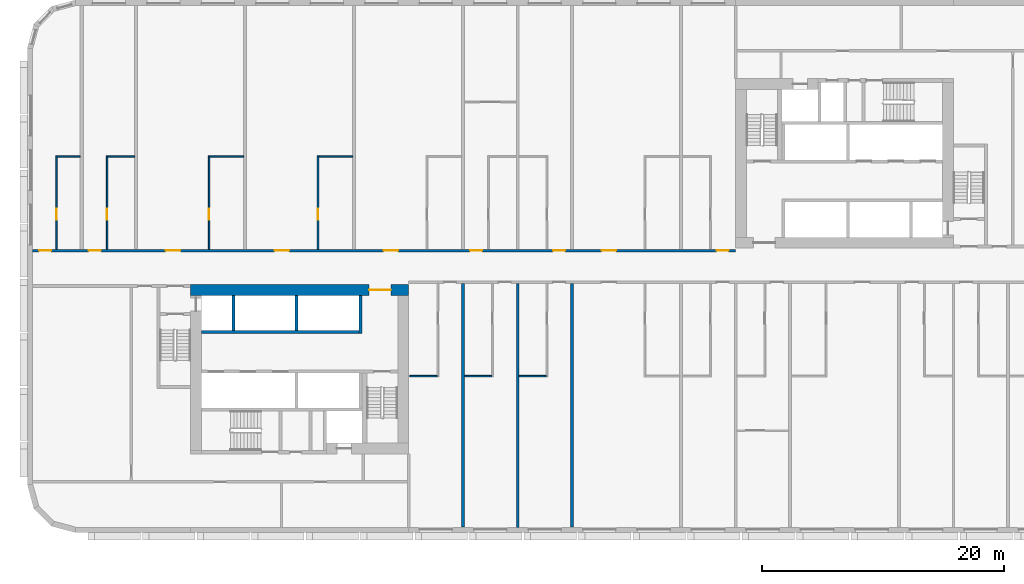
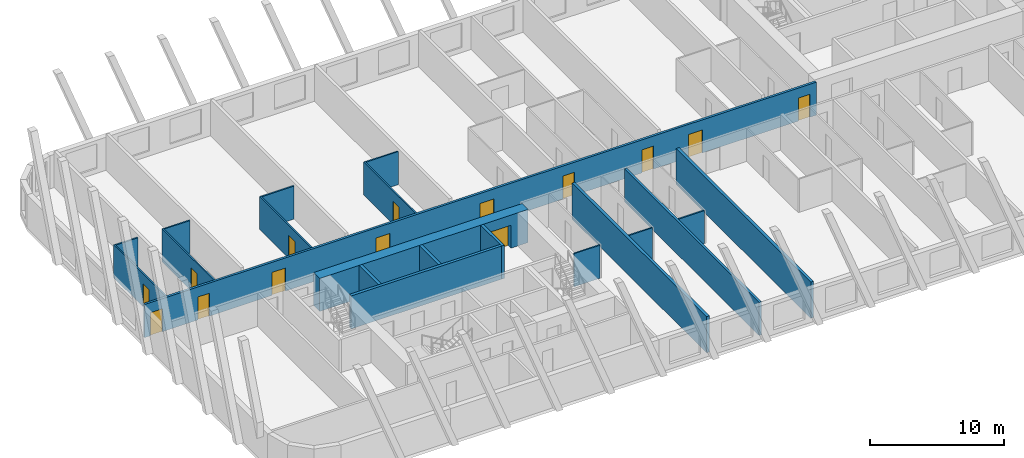
# One storey, part 3 of 13: 20 walls, 14 doors, 14 openings.
"""IFC4 building model written with IfcOpenShell, lengths in metres."""

from ifc_helpers import new_model, si_unit, direction, frame, frame_2d, origin, place, context, subcontext, project, spatial, rectangle, extrude, material, layer, layer_set, type_object, element, fill, save


model = new_model("IFC4")

# Units and contexts
model_context = context("Model", 3, precision=1e-05, world=origin(), true_north=direction((0.0, 1.0)))
body_context = subcontext(model_context, "Body", "Model", "MODEL_VIEW")
ifc_project = project(units=[si_unit("LENGTHUNIT", "METRE"), si_unit("AREAUNIT", "SQUARE_METRE"), si_unit("VOLUMEUNIT", "CUBIC_METRE"), si_unit("PLANEANGLEUNIT", "RADIAN"), si_unit("MASSUNIT", "GRAM", prefix="KILO")], contexts=[model_context])

# Site, building, storey
site_placement = place(None, origin())
site = spatial("IfcSite", under=ifc_project, at=site_placement, CompositionType="ELEMENT")
building_placement = place(site_placement, origin())
building = spatial("IfcBuilding", under=site, at=building_placement, Name="Kajstack Hotel Tower", CompositionType="ELEMENT")
storey_placement = place(building_placement, frame((0.0, 0.0, 79.800048828125)))
storey = spatial("IfcBuildingStorey", under=building, at=storey_placement, Name="L15", CompositionType="ELEMENT", Elevation=79.800048828125)

# Wall, opening, door
ifc_material_1 = material(Name="Concrete C60/75", Category="concrete")
ifc_layer_1 = layer(ifc_material_1, 0.89990234375)
ifc_layer_set_1 = layer_set([ifc_layer_1], Name="Core wall 900")
wall_type_1 = type_object("IfcWallType", Name="Core wall 900", PredefinedType="SHEAR", material=ifc_layer_set_1)
wall_1_placement = place(storey_placement, frame((-31.5, -1.949951171875, 0.0), z_axis=(0.0, 0.0, 1.0), x_axis=(1.0, 0.0, 0.0)))
wall_1 = element("IfcWall", 1, at=wall_1_placement, inside=storey, type_object=wall_type_1, Name="Core wall W RN", PredefinedType="SHEAR", context=body_context, shape_type="SweptSolid", body=[
    extrude(rectangle(XDim=18.0, YDim=0.89990234375, at=frame_2d((9.0, 0.0))), origin(), (0.0, 0.0, 1.0), 3.02001953125),
])
opening_1_placement = place(wall_1_placement, frame((14.72509765625, 0.0, 0.0)))
opening_1 = element("IfcOpeningElement", 2, at=opening_1_placement, cuts=wall_1, Name="Opening 15W06", PredefinedType="OPENING", context=body_context, shape_type="SweptSolid", body=[
    extrude(rectangle(XDim=1.800048828125, YDim=2.10009765625, at=frame_2d((0.89990234375, 1.050048828125))), frame((0.0, 0.4599609375, 0.0), z_axis=(0.0, -1.0, 0.0), x_axis=(1.0, 0.0, 0.0)), (0.0, 0.0, 1.0), 0.919921875),
])
ifc_material_2 = material(Name="Glazed steel frame, fire-rated glass", Category="steel")
door_type_1 = type_object("IfcDoorType", Name="Lobby double door 1800", OperationType="DOUBLE_DOOR_DOUBLE_SWING", PredefinedType="DOOR", material=ifc_material_2)
door_1_placement = place(opening_1_placement, origin())
door_1 = element("IfcDoor", 3, at=door_1_placement, inside=storey, type_object=door_type_1, Name="Door 15W06", OperationType="DOUBLE_DOOR_DOUBLE_SWING", OverallHeight=2.10009765625, OverallWidth=1.800048828125, PredefinedType="DOOR", context=body_context, shape_type="SweptSolid", body=[
    extrude(rectangle(XDim=1.800048828125, YDim=2.10009765625, at=frame_2d((0.89990234375, 1.050048828125))), frame((0.0, 0.02490234375, 0.0), z_axis=(0.0, -1.0, 0.0), x_axis=(1.0, 0.0, 0.0)), (0.0, 0.0, 1.0), 0.050048828125),
])
fill(opening_1, door_1)

# Wall, openings, doors
ifc_material_3 = material(Name="Gypsum board on steel studs, mineral wool", Category="steel")
ifc_layer_2 = layer(ifc_material_3, 0.199951171875)
ifc_layer_set_2 = layer_set([ifc_layer_2], Name="Corridor wall 200")
wall_type_2 = type_object("IfcWallType", Name="Corridor wall 200", PredefinedType="PARTITIONING", material=ifc_layer_set_2)
wall_2_placement = place(storey_placement, frame((-44.550048828125, 1.300048828125, 0.0), z_axis=(0.0, 0.0, 1.0), x_axis=(1.0, 0.0, 0.0)))
wall_2 = element("IfcWall", 4, at=wall_2_placement, inside=storey, type_object=wall_type_2, Name="G-wall-L15-003", PredefinedType="PARTITIONING", context=body_context, shape_type="SweptSolid", body=[
    extrude(rectangle(XDim=58.050048828125, YDim=0.199951171875, at=frame_2d((29.02490234375, 0.0))), origin(), (0.0, 0.0, 1.0), 3.02001953125),
])
opening_2_placement = place(wall_2_placement, frame((0.52490234375, 0.0, 0.0)))
opening_2 = element("IfcOpeningElement", 5, at=opening_2_placement, cuts=wall_2, Name="Opening 15001", PredefinedType="OPENING", context=body_context, shape_type="SweptSolid", body=[
    extrude(rectangle(XDim=1.0, YDim=2.10009765625, at=frame_2d((0.5, 1.050048828125))), frame((0.0, 0.10986328125, 0.0), z_axis=(0.0, -1.0, 0.0), x_axis=(1.0, 0.0, 0.0)), (0.0, 0.0, 1.0), 0.219970703125),
])
opening_3_placement = place(wall_2_placement, frame((4.625, 0.0, 0.0)))
opening_3 = element("IfcOpeningElement", 6, at=opening_3_placement, cuts=wall_2, Name="Opening 15003", PredefinedType="OPENING", context=body_context, shape_type="SweptSolid", body=[
    extrude(rectangle(XDim=1.0, YDim=2.10009765625, at=frame_2d((0.5, 1.050048828125))), frame((0.0, 0.10986328125, 0.0), z_axis=(0.0, -1.0, 0.0), x_axis=(1.0, 0.0, 0.0)), (0.0, 0.0, 1.0), 0.219970703125),
])
opening_4_placement = place(wall_2_placement, frame((10.987060546875, 0.0, 0.0)))
opening_4 = element("IfcOpeningElement", 7, at=opening_4_placement, cuts=wall_2, Name="Opening 15005", PredefinedType="OPENING", context=body_context, shape_type="SweptSolid", body=[
    extrude(rectangle(XDim=1.199951171875, YDim=2.10009765625, at=frame_2d((0.60009765625, 1.050048828125))), frame((0.0, 0.10986328125, 0.0), z_axis=(0.0, -1.0, 0.0), x_axis=(1.0, 0.0, 0.0)), (0.0, 0.0, 1.0), 0.219970703125),
])
opening_5_placement = place(wall_2_placement, frame((19.987060546875, 0.0, 0.0)))
opening_5 = element("IfcOpeningElement", 8, at=opening_5_placement, cuts=wall_2, Name="Opening 15007", PredefinedType="OPENING", context=body_context, shape_type="SweptSolid", body=[
    extrude(rectangle(XDim=1.199951171875, YDim=2.10009765625, at=frame_2d((0.60009765625, 1.050048828125))), frame((0.0, 0.10986328125, 0.0), z_axis=(0.0, -1.0, 0.0), x_axis=(1.0, 0.0, 0.0)), (0.0, 0.0, 1.0), 0.219970703125),
])
opening_6_placement = place(wall_2_placement, frame((28.987060546875, 0.0, 0.0)))
opening_6 = element("IfcOpeningElement", 9, at=opening_6_placement, cuts=wall_2, Name="Opening 15009", PredefinedType="OPENING", context=body_context, shape_type="SweptSolid", body=[
    extrude(rectangle(XDim=1.199951171875, YDim=2.10009765625, at=frame_2d((0.60009765625, 1.050048828125))), frame((0.0, 0.10986328125, 0.0), z_axis=(0.0, -1.0, 0.0), x_axis=(1.0, 0.0, 0.0)), (0.0, 0.0, 1.0), 0.219970703125),
])
opening_7_placement = place(wall_2_placement, frame((36.125, 0.0, 0.0)))
opening_7 = element("IfcOpeningElement", 10, at=opening_7_placement, cuts=wall_2, Name="Opening 15011", PredefinedType="OPENING", context=body_context, shape_type="SweptSolid", body=[
    extrude(rectangle(XDim=1.0, YDim=2.10009765625, at=frame_2d((0.5, 1.050048828125))), frame((0.0, 0.10986328125, 0.0), z_axis=(0.0, -1.0, 0.0), x_axis=(1.0, 0.0, 0.0)), (0.0, 0.0, 1.0), 0.219970703125),
])
opening_8_placement = place(wall_2_placement, frame((42.97509765625, 0.0, 0.0)))
opening_8 = element("IfcOpeningElement", 11, at=opening_8_placement, cuts=wall_2, Name="Opening 15014", PredefinedType="OPENING", context=body_context, shape_type="SweptSolid", body=[
    extrude(rectangle(XDim=1.0, YDim=2.10009765625, at=frame_2d((0.5, 1.050048828125))), frame((0.0, 0.10986328125, 0.0), z_axis=(0.0, -1.0, 0.0), x_axis=(1.0, 0.0, 0.0)), (0.0, 0.0, 1.0), 0.219970703125),
])
opening_9_placement = place(wall_2_placement, frame((46.987060546875, 0.0, 0.0)))
opening_9 = element("IfcOpeningElement", 12, at=opening_9_placement, cuts=wall_2, Name="Opening 15016", PredefinedType="OPENING", context=body_context, shape_type="SweptSolid", body=[
    extrude(rectangle(XDim=1.199951171875, YDim=2.10009765625, at=frame_2d((0.60009765625, 1.050048828125))), frame((0.0, 0.10986328125, 0.0), z_axis=(0.0, -1.0, 0.0), x_axis=(1.0, 0.0, 0.0)), (0.0, 0.0, 1.0), 0.219970703125),
])
opening_10_placement = place(wall_2_placement, frame((56.47509765625, 0.0, 0.0)))
opening_10 = element("IfcOpeningElement", 13, at=opening_10_placement, cuts=wall_2, Name="Opening 15018", PredefinedType="OPENING", context=body_context, shape_type="SweptSolid", body=[
    extrude(rectangle(XDim=1.0, YDim=2.10009765625, at=frame_2d((0.5, 1.050048828125))), frame((0.0, 0.10986328125, 0.0), z_axis=(0.0, -1.0, 0.0), x_axis=(1.0, 0.0, 0.0)), (0.0, 0.0, 1.0), 0.219970703125),
])
ifc_material_4 = material(Name="Oak veneer on timber core, fire-rated leaf", Category="wood")
door_type_2 = type_object("IfcDoorType", Name="Flat entrance door 1000", OperationType="SINGLE_SWING_LEFT", PredefinedType="DOOR", material=ifc_material_4)
door_2_placement = place(opening_2_placement, origin())
door_2 = element("IfcDoor", 14, at=door_2_placement, inside=storey, type_object=door_type_2, Name="G-door-L15-01", OperationType="SINGLE_SWING_LEFT", OverallHeight=2.10009765625, OverallWidth=1.0, PredefinedType="DOOR", context=body_context, shape_type="SweptSolid", body=[
    extrude(rectangle(XDim=1.0, YDim=2.10009765625, at=frame_2d((0.5, 1.050048828125))), frame((0.0, 0.02490234375, 0.0), z_axis=(0.0, -1.0, 0.0), x_axis=(1.0, 0.0, 0.0)), (0.0, 0.0, 1.0), 0.050048828125),
])
fill(opening_2, door_2)
door_3_placement = place(opening_3_placement, origin())
door_3 = element("IfcDoor", 15, at=door_3_placement, inside=storey, type_object=door_type_2, Name="G-door-L15-03", OperationType="SINGLE_SWING_LEFT", OverallHeight=2.10009765625, OverallWidth=1.0, PredefinedType="DOOR", context=body_context, shape_type="SweptSolid", body=[
    extrude(rectangle(XDim=1.0, YDim=2.10009765625, at=frame_2d((0.5, 1.050048828125))), frame((0.0, 0.02490234375, 0.0), z_axis=(0.0, -1.0, 0.0), x_axis=(1.0, 0.0, 0.0)), (0.0, 0.0, 1.0), 0.050048828125),
])
fill(opening_3, door_3)
door_4_placement = place(opening_7_placement, origin())
door_4 = element("IfcDoor", 16, at=door_4_placement, inside=storey, type_object=door_type_2, Name="G-door-L15-11", OperationType="SINGLE_SWING_LEFT", OverallHeight=2.10009765625, OverallWidth=1.0, PredefinedType="DOOR", context=body_context, shape_type="SweptSolid", body=[
    extrude(rectangle(XDim=1.0, YDim=2.10009765625, at=frame_2d((0.5, 1.050048828125))), frame((0.0, 0.02490234375, 0.0), z_axis=(0.0, -1.0, 0.0), x_axis=(1.0, 0.0, 0.0)), (0.0, 0.0, 1.0), 0.050048828125),
])
fill(opening_7, door_4)
door_5_placement = place(opening_8_placement, origin())
door_5 = element("IfcDoor", 17, at=door_5_placement, inside=storey, type_object=door_type_2, Name="G-door-L15-14", OperationType="SINGLE_SWING_RIGHT", OverallHeight=2.10009765625, OverallWidth=1.0, PredefinedType="DOOR", context=body_context, shape_type="SweptSolid", body=[
    extrude(rectangle(XDim=1.0, YDim=2.10009765625, at=frame_2d((0.5, 1.050048828125))), frame((0.0, 0.02490234375, 0.0), z_axis=(0.0, -1.0, 0.0), x_axis=(1.0, 0.0, 0.0)), (0.0, 0.0, 1.0), 0.050048828125),
])
fill(opening_8, door_5)
door_6_placement = place(opening_10_placement, origin())
door_6 = element("IfcDoor", 18, at=door_6_placement, inside=storey, type_object=door_type_2, Name="G-door-L15-18", OperationType="SINGLE_SWING_LEFT", OverallHeight=2.10009765625, OverallWidth=1.0, PredefinedType="DOOR", context=body_context, shape_type="SweptSolid", body=[
    extrude(rectangle(XDim=1.0, YDim=2.10009765625, at=frame_2d((0.5, 1.050048828125))), frame((0.0, 0.02490234375, 0.0), z_axis=(0.0, -1.0, 0.0), x_axis=(1.0, 0.0, 0.0)), (0.0, 0.0, 1.0), 0.050048828125),
])
fill(opening_10, door_6)
door_type_3 = type_object("IfcDoorType", Name="Flat entrance door 1200", OperationType="SINGLE_SWING_LEFT", PredefinedType="DOOR", material=ifc_material_4)
door_7_placement = place(opening_4_placement, origin())
door_7 = element("IfcDoor", 19, at=door_7_placement, inside=storey, type_object=door_type_3, Name="G-door-L15-05", OperationType="SINGLE_SWING_RIGHT", OverallHeight=2.10009765625, OverallWidth=1.199951171875, PredefinedType="DOOR", context=body_context, shape_type="SweptSolid", body=[
    extrude(rectangle(XDim=1.199951171875, YDim=2.10009765625, at=frame_2d((0.60009765625, 1.050048828125))), frame((0.0, 0.02490234375, 0.0), z_axis=(0.0, -1.0, 0.0), x_axis=(1.0, 0.0, 0.0)), (0.0, 0.0, 1.0), 0.050048828125),
])
fill(opening_4, door_7)
door_8_placement = place(opening_5_placement, origin())
door_8 = element("IfcDoor", 20, at=door_8_placement, inside=storey, type_object=door_type_3, Name="G-door-L15-07", OperationType="SINGLE_SWING_RIGHT", OverallHeight=2.10009765625, OverallWidth=1.199951171875, PredefinedType="DOOR", context=body_context, shape_type="SweptSolid", body=[
    extrude(rectangle(XDim=1.199951171875, YDim=2.10009765625, at=frame_2d((0.60009765625, 1.050048828125))), frame((0.0, 0.02490234375, 0.0), z_axis=(0.0, -1.0, 0.0), x_axis=(1.0, 0.0, 0.0)), (0.0, 0.0, 1.0), 0.050048828125),
])
fill(opening_5, door_8)
door_9_placement = place(opening_6_placement, origin())
door_9 = element("IfcDoor", 21, at=door_9_placement, inside=storey, type_object=door_type_3, Name="G-door-L15-09", OperationType="SINGLE_SWING_LEFT", OverallHeight=2.10009765625, OverallWidth=1.199951171875, PredefinedType="DOOR", context=body_context, shape_type="SweptSolid", body=[
    extrude(rectangle(XDim=1.199951171875, YDim=2.10009765625, at=frame_2d((0.60009765625, 1.050048828125))), frame((0.0, 0.02490234375, 0.0), z_axis=(0.0, -1.0, 0.0), x_axis=(1.0, 0.0, 0.0)), (0.0, 0.0, 1.0), 0.050048828125),
])
fill(opening_6, door_9)
door_10_placement = place(opening_9_placement, origin())
door_10 = element("IfcDoor", 22, at=door_10_placement, inside=storey, type_object=door_type_3, Name="G-door-L15-16", OperationType="SINGLE_SWING_RIGHT", OverallHeight=2.10009765625, OverallWidth=1.199951171875, PredefinedType="DOOR", context=body_context, shape_type="SweptSolid", body=[
    extrude(rectangle(XDim=1.199951171875, YDim=2.10009765625, at=frame_2d((0.60009765625, 1.050048828125))), frame((0.0, 0.02490234375, 0.0), z_axis=(0.0, -1.0, 0.0), x_axis=(1.0, 0.0, 0.0)), (0.0, 0.0, 1.0), 0.050048828125),
])
fill(opening_9, door_10)

# Wall
ifc_material_5 = material(Name="Twin-frame gypsum board on steel studs, mineral wool", Category="steel")
ifc_layer_3 = layer(ifc_material_5, 0.199951171875)
ifc_layer_set_3 = layer_set([ifc_layer_3], Name="Demising wall 200")
wall_type_3 = type_object("IfcWallType", Name="Demising wall 200", PredefinedType="PARTITIONING", material=ifc_layer_set_3)
wall_3_placement = place(storey_placement, frame((-4.5, -21.550048828125, 0.0), z_axis=(0.0, 0.0, 1.0), x_axis=(0.0, 1.0, 0.0)))
element("IfcWall", 23, at=wall_3_placement, inside=storey, type_object=wall_type_3, Name="G-wall-L15-027", PredefinedType="PARTITIONING", context=body_context, shape_type="SweptSolid", body=[
    extrude(rectangle(XDim=20.150146484375, YDim=0.199951171875, at=frame_2d((10.0751953125, 0.0))), origin(), (0.0, 0.0, 1.0), 3.02001953125),
])

# Wall, opening, door
ifc_material_6 = material(Name="Gypsum board and tiled backer on steel studs", Category="steel")
ifc_layer_4 = layer(ifc_material_6, 0.125)
ifc_layer_set_4 = layer_set([ifc_layer_4], Name="En-suite wall 125")
wall_type_4 = type_object("IfcWallType", Name="En-suite wall 125", PredefinedType="PARTITIONING", material=ifc_layer_set_4)
wall_4_placement = place(storey_placement, frame((-42.5869140625, 1.39990234375, 0.0), z_axis=(0.0, 0.0, 1.0), x_axis=(0.0, 1.0, 0.0)))
wall_4 = element("IfcWall", 24, at=wall_4_placement, inside=storey, type_object=wall_type_4, Name="G-wall-L15-004", PredefinedType="PARTITIONING", context=body_context, shape_type="SweptSolid", body=[
    extrude(rectangle(XDim=7.72509765625, YDim=0.125, at=frame_2d((3.862548828125, 0.0))), origin(), (0.0, 0.0, 1.0), 3.02001953125),
])
opening_11_placement = place(wall_4_placement, frame((2.449951171875, 0.0, 0.0)))
opening_11 = element("IfcOpeningElement", 25, at=opening_11_placement, cuts=wall_4, Name="Opening 15002", PredefinedType="OPENING", context=body_context, shape_type="SweptSolid", body=[
    extrude(rectangle(XDim=0.89990234375, YDim=2.10009765625, at=frame_2d((0.449951171875, 1.050048828125))), frame((0.0, 0.072509765625, 0.0), z_axis=(0.0, -1.0, 0.0), x_axis=(1.0, 0.0, 0.0)), (0.0, 0.0, 1.0), 0.14501953125),
])
ifc_material_7 = material(Name="Painted timber door leaf", Category="wood")
door_type_4 = type_object("IfcDoorType", Name="Room door 900", OperationType="SINGLE_SWING_LEFT", PredefinedType="DOOR", material=ifc_material_7)
door_11_placement = place(opening_11_placement, origin())
door_11 = element("IfcDoor", 26, at=door_11_placement, inside=storey, type_object=door_type_4, Name="G-door-L15-02", OperationType="SINGLE_SWING_RIGHT", OverallHeight=2.10009765625, OverallWidth=0.89990234375, PredefinedType="DOOR", context=body_context, shape_type="SweptSolid", body=[
    extrude(rectangle(XDim=0.89990234375, YDim=2.10009765625, at=frame_2d((0.449951171875, 1.050048828125))), frame((0.0, 0.02490234375, 0.0), z_axis=(0.0, -1.0, 0.0), x_axis=(1.0, 0.0, 0.0)), (0.0, 0.0, 1.0), 0.050048828125),
])
fill(opening_11, door_11)

# Wall
wall_5_placement = place(storey_placement, frame((-42.52490234375, 9.06201171875, 0.0), z_axis=(0.0, 0.0, 1.0), x_axis=(1.0, 0.0, 0.0)))
element("IfcWall", 27, at=wall_5_placement, inside=storey, type_object=wall_type_4, Name="G-wall-L15-005", PredefinedType="PARTITIONING", context=body_context, shape_type="SweptSolid", body=[
    extrude(rectangle(XDim=1.89990234375, YDim=0.125, at=frame_2d((0.949951171875, 0.0))), origin(), (0.0, 0.0, 1.0), 3.02001953125),
])

# Wall, opening, door
wall_6_placement = place(storey_placement, frame((-38.4130859375, 1.39990234375, 0.0), z_axis=(0.0, 0.0, 1.0), x_axis=(0.0, 1.0, 0.0)))
wall_6 = element("IfcWall", 28, at=wall_6_placement, inside=storey, type_object=wall_type_4, Name="G-wall-L15-006", PredefinedType="PARTITIONING", context=body_context, shape_type="SweptSolid", body=[
    extrude(rectangle(XDim=7.72509765625, YDim=0.125, at=frame_2d((3.862548828125, 0.0))), origin(), (0.0, 0.0, 1.0), 3.02001953125),
])
opening_12_placement = place(wall_6_placement, frame((2.449951171875, 0.0, 0.0)))
opening_12 = element("IfcOpeningElement", 29, at=opening_12_placement, cuts=wall_6, Name="Opening 15004", PredefinedType="OPENING", context=body_context, shape_type="SweptSolid", body=[
    extrude(rectangle(XDim=0.89990234375, YDim=2.10009765625, at=frame_2d((0.449951171875, 1.050048828125))), frame((0.0, 0.072509765625, 0.0), z_axis=(0.0, -1.0, 0.0), x_axis=(1.0, 0.0, 0.0)), (0.0, 0.0, 1.0), 0.14501953125),
])
door_12_placement = place(opening_12_placement, origin())
door_12 = element("IfcDoor", 30, at=door_12_placement, inside=storey, type_object=door_type_4, Name="G-door-L15-04", OperationType="SINGLE_SWING_RIGHT", OverallHeight=2.10009765625, OverallWidth=0.89990234375, PredefinedType="DOOR", context=body_context, shape_type="SweptSolid", body=[
    extrude(rectangle(XDim=0.89990234375, YDim=2.10009765625, at=frame_2d((0.449951171875, 1.050048828125))), frame((0.0, 0.02490234375, 0.0), z_axis=(0.0, -1.0, 0.0), x_axis=(1.0, 0.0, 0.0)), (0.0, 0.0, 1.0), 0.050048828125),
])
fill(opening_12, door_12)

# Wall
wall_7_placement = place(storey_placement, frame((-38.35009765625, 9.06201171875, 0.0), z_axis=(0.0, 0.0, 1.0), x_axis=(1.0, 0.0, 0.0)))
element("IfcWall", 31, at=wall_7_placement, inside=storey, type_object=wall_type_4, Name="G-wall-L15-007", PredefinedType="PARTITIONING", context=body_context, shape_type="SweptSolid", body=[
    extrude(rectangle(XDim=2.22509765625, YDim=0.125, at=frame_2d((1.112548828125, 0.0))), origin(), (0.0, 0.0, 1.0), 3.02001953125),
])

# Wall, opening, door
wall_8_placement = place(storey_placement, frame((-29.988037109375, 1.39990234375, 0.0), z_axis=(0.0, 0.0, 1.0), x_axis=(0.0, 1.0, 0.0)))
wall_8 = element("IfcWall", 32, at=wall_8_placement, inside=storey, type_object=wall_type_4, Name="G-wall-L15-008", PredefinedType="PARTITIONING", context=body_context, shape_type="SweptSolid", body=[
    extrude(rectangle(XDim=7.72509765625, YDim=0.125, at=frame_2d((3.862548828125, 0.0))), origin(), (0.0, 0.0, 1.0), 3.02001953125),
])
opening_13_placement = place(wall_8_placement, frame((2.449951171875, 0.0, 0.0)))
opening_13 = element("IfcOpeningElement", 33, at=opening_13_placement, cuts=wall_8, Name="Opening 15006", PredefinedType="OPENING", context=body_context, shape_type="SweptSolid", body=[
    extrude(rectangle(XDim=0.89990234375, YDim=2.10009765625, at=frame_2d((0.449951171875, 1.050048828125))), frame((0.0, 0.072509765625, 0.0), z_axis=(0.0, -1.0, 0.0), x_axis=(1.0, 0.0, 0.0)), (0.0, 0.0, 1.0), 0.14501953125),
])
door_13_placement = place(opening_13_placement, origin())
door_13 = element("IfcDoor", 34, at=door_13_placement, inside=storey, type_object=door_type_4, Name="G-door-L15-06", OperationType="SINGLE_SWING_RIGHT", OverallHeight=2.10009765625, OverallWidth=0.89990234375, PredefinedType="DOOR", context=body_context, shape_type="SweptSolid", body=[
    extrude(rectangle(XDim=0.89990234375, YDim=2.10009765625, at=frame_2d((0.449951171875, 1.050048828125))), frame((0.0, 0.02490234375, 0.0), z_axis=(0.0, -1.0, 0.0), x_axis=(1.0, 0.0, 0.0)), (0.0, 0.0, 1.0), 0.050048828125),
])
fill(opening_13, door_13)

# Wall
wall_9_placement = place(storey_placement, frame((-29.925048828125, 9.06201171875, 0.0), z_axis=(0.0, 0.0, 1.0), x_axis=(1.0, 0.0, 0.0)))
element("IfcWall", 35, at=wall_9_placement, inside=storey, type_object=wall_type_4, Name="G-wall-L15-009", PredefinedType="PARTITIONING", context=body_context, shape_type="SweptSolid", body=[
    extrude(rectangle(XDim=2.800048828125, YDim=0.125, at=frame_2d((1.39990234375, 0.0))), origin(), (0.0, 0.0, 1.0), 3.02001953125),
])

# Wall, opening, door
wall_10_placement = place(storey_placement, frame((-20.988037109375, 1.39990234375, 0.0), z_axis=(0.0, 0.0, 1.0), x_axis=(0.0, 1.0, 0.0)))
wall_10 = element("IfcWall", 36, at=wall_10_placement, inside=storey, type_object=wall_type_4, Name="G-wall-L15-010", PredefinedType="PARTITIONING", context=body_context, shape_type="SweptSolid", body=[
    extrude(rectangle(XDim=7.72509765625, YDim=0.125, at=frame_2d((3.862548828125, 0.0))), origin(), (0.0, 0.0, 1.0), 3.02001953125),
])
opening_14_placement = place(wall_10_placement, frame((2.449951171875, 0.0, 0.0)))
opening_14 = element("IfcOpeningElement", 37, at=opening_14_placement, cuts=wall_10, Name="Opening 15008", PredefinedType="OPENING", context=body_context, shape_type="SweptSolid", body=[
    extrude(rectangle(XDim=0.89990234375, YDim=2.10009765625, at=frame_2d((0.449951171875, 1.050048828125))), frame((0.0, 0.072509765625, 0.0), z_axis=(0.0, -1.0, 0.0), x_axis=(1.0, 0.0, 0.0)), (0.0, 0.0, 1.0), 0.14501953125),
])
door_14_placement = place(opening_14_placement, origin())
door_14 = element("IfcDoor", 38, at=door_14_placement, inside=storey, type_object=door_type_4, Name="G-door-L15-08", OperationType="SINGLE_SWING_RIGHT", OverallHeight=2.10009765625, OverallWidth=0.89990234375, PredefinedType="DOOR", context=body_context, shape_type="SweptSolid", body=[
    extrude(rectangle(XDim=0.89990234375, YDim=2.10009765625, at=frame_2d((0.449951171875, 1.050048828125))), frame((0.0, 0.02490234375, 0.0), z_axis=(0.0, -1.0, 0.0), x_axis=(1.0, 0.0, 0.0)), (0.0, 0.0, 1.0), 0.050048828125),
])
fill(opening_14, door_14)

# Walls
wall_11_placement = place(storey_placement, frame((-20.925048828125, 9.06201171875, 0.0), z_axis=(0.0, 0.0, 1.0), x_axis=(1.0, 0.0, 0.0)))
element("IfcWall", 39, at=wall_11_placement, inside=storey, type_object=wall_type_4, Name="G-wall-L15-011", PredefinedType="PARTITIONING", context=body_context, shape_type="SweptSolid", body=[
    extrude(rectangle(XDim=2.800048828125, YDim=0.125, at=frame_2d((1.39990234375, 0.0))), origin(), (0.0, 0.0, 1.0), 3.02001953125),
])
for number, where, z_axis, x_axis, name in (
    (40, (-13.39990234375, -9.06201171875, 0.0), (0.0, 0.0, 1.0), (1.0, 0.0, 0.0), "G-wall-L15-026"),
    (41, (-8.875, -9.06201171875, 0.0), (0.0, 0.0, 1.0), (1.0, 0.0, 0.0), "G-wall-L15-029"),
    (42, (-4.39990234375, -9.06201171875, 0.0), (0.0, 0.0, 1.0), (1.0, 0.0, 0.0), "G-wall-L15-031"),
):
    element("IfcWall", number, at=place(storey_placement, frame(where, z_axis=z_axis, x_axis=x_axis)), inside=storey, type_object=wall_type_4, Name=name, PredefinedType="PARTITIONING", context=body_context, shape_type="SweptSolid", body=[
        extrude(rectangle(XDim=2.25, YDim=0.125, at=frame_2d((1.125, 0.0))), origin(), (0.0, 0.0, 1.0), 3.02001953125),
    ])
ifc_material_8 = material(Name="Concrete C50/60", Category="concrete")
ifc_layer_5 = layer(ifc_material_8, 0.300048828125)
ifc_layer_set_5 = layer_set([ifc_layer_5], Name="Hoistway divider wall 300")
wall_type_5 = type_object("IfcWallType", Name="Hoistway divider wall 300", PredefinedType="SHEAR", material=ifc_layer_set_5)
wall_12_placement = place(storey_placement, frame((-22.77490234375, -5.300048828125, 0.0), z_axis=(0.0, 0.0, 1.0), x_axis=(0.0, 1.0, 0.0)))
element("IfcWall", 43, at=wall_12_placement, inside=storey, type_object=wall_type_5, Name="Core wall W AP2", PredefinedType="SHEAR", context=body_context, shape_type="SweptSolid", body=[
    extrude(rectangle(XDim=2.900146484375, YDim=0.25, at=frame_2d((1.4501953125, 0.0))), origin(), (0.0, 0.0, 1.0), 3.02001953125),
])
ifc_layer_6 = layer(ifc_material_1, 0.25)
ifc_layer_set_6 = layer_set([ifc_layer_6], Name="RC cross wall 250 C60/75")
wall_type_6 = type_object("IfcWallType", Name="RC cross wall 250 C60/75", PredefinedType="SHEAR", material=ifc_layer_set_6)
for number, where, z_axis, x_axis, name in (
    (44, (-9.0, -21.5400390625, 0.0), (0.0, 0.0, 1.0), (0.0, 1.0, 0.0), "S-wall-L15-05"),
    (45, (0.0, -21.5400390625, 0.0), (0.0, 0.0, 1.0), (0.0, 1.0, 0.0), "S-wall-L15-07"),
):
    element("IfcWall", number, at=place(storey_placement, frame(where, z_axis=z_axis, x_axis=x_axis)), inside=storey, type_object=wall_type_6, Name=name, PredefinedType="SHEAR", context=body_context, shape_type="SweptSolid", body=[
        extrude(rectangle(XDim=20.14013671875, YDim=0.25, at=frame_2d((10.070068359375, 0.0))), origin(), (0.0, 0.0, 1.0), 3.300048828125),
    ])
ifc_layer_7 = layer(ifc_material_8, 0.25)
ifc_layer_set_7 = layer_set([ifc_layer_7], Name="Shaft wall 250")
wall_type_7 = type_object("IfcWallType", Name="Shaft wall 250", PredefinedType="SHEAR", material=ifc_layer_set_7)
wall_13_placement = place(storey_placement, frame((-30.60009765625, -5.425048828125, 0.0), z_axis=(0.0, 0.0, 1.0), x_axis=(1.0, 0.0, 0.0)))
element("IfcWall", 46, at=wall_13_placement, inside=storey, type_object=wall_type_7, Name="Core wall W FA", PredefinedType="SHEAR", context=body_context, shape_type="SweptSolid", body=[
    extrude(rectangle(XDim=13.0, YDim=0.25, at=frame_2d((6.5, 0.0))), origin(), (0.0, 0.0, 1.0), 3.02001953125),
])
wall_14_placement = place(storey_placement, frame((-17.47509765625, -5.550048828125, 0.0), z_axis=(0.0, 0.0, 1.0), x_axis=(0.0, 1.0, 0.0)))
element("IfcWall", 47, at=wall_14_placement, inside=storey, type_object=wall_type_7, Name="Core wall W AE", PredefinedType="SHEAR", context=body_context, shape_type="SweptSolid", body=[
    extrude(rectangle(XDim=3.150146484375, YDim=0.25, at=frame_2d((1.5751953125, 0.0))), origin(), (0.0, 0.0, 1.0), 3.02001953125),
])
wall_15_placement = place(storey_placement, frame((-27.97509765625, -5.300048828125, 0.0), z_axis=(0.0, 0.0, 1.0), x_axis=(0.0, 1.0, 0.0)))
element("IfcWall", 48, at=wall_15_placement, inside=storey, type_object=wall_type_7, Name="Core wall W AP0", PredefinedType="SHEAR", context=body_context, shape_type="SweptSolid", body=[
    extrude(rectangle(XDim=2.900146484375, YDim=0.25, at=frame_2d((1.4501953125, 0.0))), origin(), (0.0, 0.0, 1.0), 3.02001953125),
])

save(model, "model.ifc")
